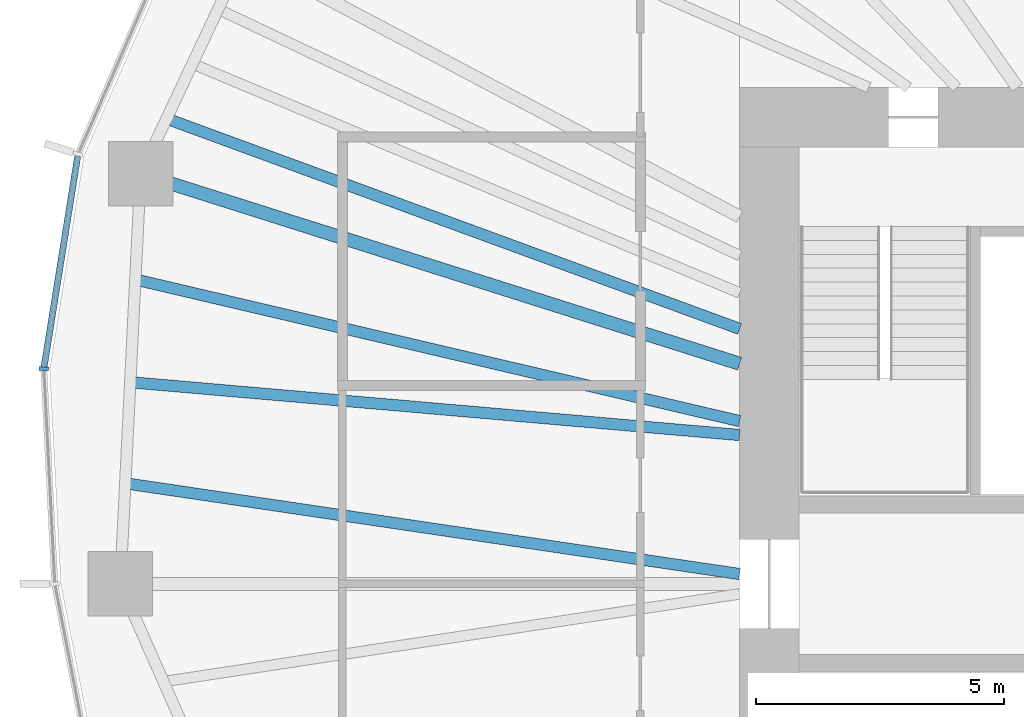
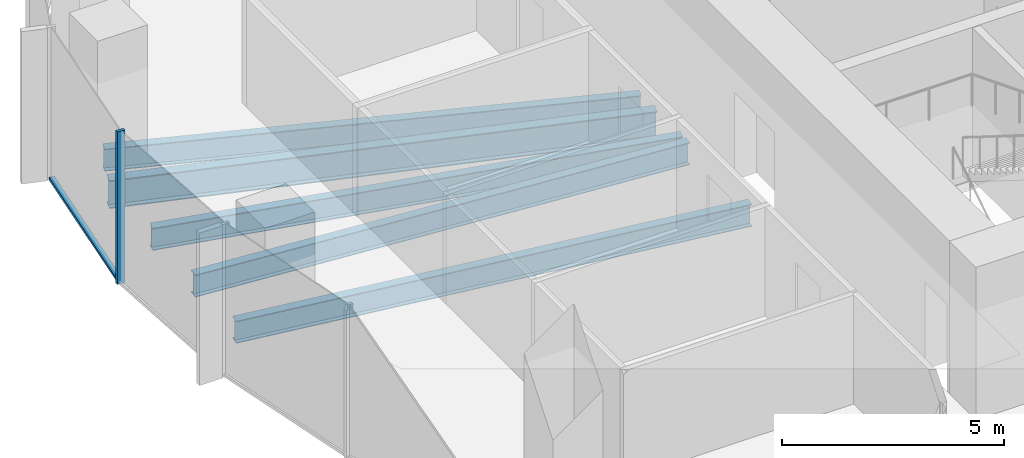
# One storey, part 3 of 12: 5 beams, 2 members, 1 element without a shape of its own.
"""IFC4 building model written with IfcOpenShell, lengths in metres."""

from ifc_helpers import new_model, si_unit, direction, frame, origin, origin_2d, place, context, subcontext, project, spatial, rectangle, i_section, extrude, material, material_profile, profile_set, type_object, element, aggregate, save


model = new_model("IFC4")

# Units and contexts
model_context = context("Model", 3, precision=1e-05, world=origin(), true_north=direction((0.0, 1.0)))
body_context = subcontext(model_context, "Body", "Model", "MODEL_VIEW")
ifc_project = project(units=[si_unit("LENGTHUNIT", "METRE"), si_unit("AREAUNIT", "SQUARE_METRE"), si_unit("VOLUMEUNIT", "CUBIC_METRE"), si_unit("PLANEANGLEUNIT", "RADIAN"), si_unit("MASSUNIT", "GRAM", prefix="KILO")], contexts=[model_context])

# Site, building, storey
site_placement = place(None, origin())
site = spatial("IfcSite", under=ifc_project, at=site_placement, CompositionType="ELEMENT")
building_placement = place(site_placement, origin())
building = spatial("IfcBuilding", under=site, at=building_placement, Name="Ghaith Harvest Tower", CompositionType="ELEMENT")
storey_placement = place(building_placement, frame((0.0, 0.0, 228.39990234375)))
storey = spatial("IfcBuildingStorey", under=building, at=storey_placement, Name="L50", CompositionType="ELEMENT", Elevation=228.39990234375)

# Curtain wall, members
ifc_material_1 = material(Name="Black anodised aluminium and fritted glass", Category="aluminium")
curtain_wall_type = type_object("IfcCurtainWallType", Name="CW-H CURTAIN WALL", PredefinedType="NOTDEFINED", material=ifc_material_1)
curtain_wall_placement = place(storey_placement, origin())
curtain_wall = element("IfcCurtainWall", 1, at=curtain_wall_placement, inside=storey, type_object=curtain_wall_type, Name="Curtain wall CW-H bay 10 L50", PredefinedType="NOTDEFINED")
ifc_material_2 = material(Name="Aluminium, black anodised", Category="aluminium")
ifc_material_profile_1 = material_profile(ifc_material_2, rectangle(XDim=0.080078125, YDim=0.199951171875, at=origin_2d()), Name="CW-H MULLION 80x200")
ifc_profile_set_1 = profile_set([ifc_material_profile_1], Name="Aluminium, black anodised")
member_type_1 = type_object("IfcMemberType", Name="CW-H MULLION 80x200", PredefinedType="MULLION", material=ifc_profile_set_1)
member_1_placement = place(storey_placement, frame((-28.015869140625, 4.333251953125, 0.0), z_axis=(0.0, 0.0, 1.0), x_axis=(-0.054116047044, -0.998534653105, 0.0)))
member_1 = element("IfcMember", 2, at=member_1_placement, type_object=member_type_1, Name="CW-H mullion 2 bay 10 L50", PredefinedType="MULLION", context=body_context, shape_type="SweptSolid", body=[
    extrude(rectangle(XDim=0.080078125, YDim=0.199951171875, at=origin_2d()), origin(), (0.0, 0.0, 1.0), 4.2001953125),
])
ifc_material_3 = material(Name="Aluminium, black anodised", Category="aluminium")
ifc_material_profile_2 = material_profile(ifc_material_3, rectangle(XDim=0.1298828125, YDim=0.080078125, at=origin_2d()), Name="CW-H TRANSOM 130x80")
ifc_profile_set_2 = profile_set([ifc_material_profile_2], Name="Aluminium, black anodised")
member_type_2 = type_object("IfcMemberType", Name="CW-H TRANSOM 130x80", PredefinedType="USERDEFINED", material=ifc_profile_set_2)
member_2_placement = place(storey_placement, frame((-27.33203125, 8.62060546875, 0.0400390625), z_axis=(-0.157492444441, -0.98752019217, 0.0), x_axis=(0.98752019217, -0.157492444441, 0.0)))
member_2 = element("IfcMember", 3, at=member_2_placement, type_object=member_type_2, Name="CW-H transom 1 bay 10 L50", ObjectType="TRANSOM", PredefinedType="USERDEFINED", context=body_context, shape_type="SweptSolid", body=[
    extrude(rectangle(XDim=0.1298828125, YDim=0.080078125, at=origin_2d()), origin(), (0.0, 0.0, 1.0), 4.3017578125),
])
aggregate(curtain_wall, [member_2, member_1])

# Beams
ifc_material_4 = material(Name="Steel ASTM A992 Grade 50", Category="steel")
ifc_material_profile_3 = material_profile(ifc_material_4, i_section(OverallWidth=0.26806640625, OverallDepth=0.77001953125, WebThickness=0.015625, FlangeThickness=0.025390625, at=origin_2d()), Name="W760X196")
ifc_profile_set_3 = profile_set([ifc_material_profile_3], Name="Steel ASTM A992 Grade 50")
beam_type_1 = type_object("IfcBeamType", Name="G760-196 W760X196", PredefinedType="BEAM", material=ifc_profile_set_3)
beam_1_placement = place(storey_placement, frame((-14.0, 4.43701171875, -0.554931640625), z_axis=(-0.953278738841, 0.302092115212, 0.0), x_axis=(-0.302092115212, -0.953278738841, 0.0)))
element("IfcBeam", 4, at=beam_1_placement, inside=storey, type_object=beam_type_1, Name="Radial girder G10 L50", PredefinedType="BEAM", context=body_context, shape_type="SweptSolid", body=[
    extrude(i_section(OverallWidth=0.26806640625, OverallDepth=0.77001953125, WebThickness=0.015625, FlangeThickness=0.025390625, at=origin_2d()), origin(), (0.0, 0.0, 1.0), 12.658203125),
])
ifc_material_5 = material(Name="Steel ASTM A992 Grade 50", Category="steel")
ifc_material_profile_4 = material_profile(ifc_material_5, i_section(OverallWidth=0.22900390625, OverallDepth=0.612060546875, WebThickness=0.011962890625, FlangeThickness=0.01953125, at=origin_2d()), Name="W610X125")
ifc_profile_set_4 = profile_set([ifc_material_profile_4], Name="Steel ASTM A992 Grade 50")
beam_type_2 = type_object("IfcBeamType", Name="J610-125 W610X125", PredefinedType="JOIST", material=ifc_profile_set_4)
beam_2_placement = place(storey_placement, frame((-14.0, 5.137939453125, -0.475830078125), z_axis=(-0.938775301049, 0.344530019216, 0.0), x_axis=(-0.344530019216, -0.938775301049, 0.0)))
element("IfcBeam", 5, at=beam_2_placement, inside=storey, type_object=beam_type_2, Name="Joist J09.3 L50", PredefinedType="JOIST", context=body_context, shape_type="SweptSolid", body=[
    extrude(i_section(OverallWidth=0.22900390625, OverallDepth=0.612060546875, WebThickness=0.011962890625, FlangeThickness=0.01953125, at=origin_2d()), origin(), (0.0, 0.0, 1.0), 12.295166015625),
])
beam_3_placement = place(storey_placement, frame((-14.0, 3.280517578125, -0.475830078125), z_axis=(-0.973621665777, 0.228168472691, 0.0), x_axis=(-0.228168472691, -0.973621665777, 0.0)))
element("IfcBeam", 6, at=beam_3_placement, inside=storey, type_object=beam_type_2, Name="Joist J10.1 L50", PredefinedType="JOIST", context=body_context, shape_type="SweptSolid", body=[
    extrude(i_section(OverallWidth=0.22900390625, OverallDepth=0.612060546875, WebThickness=0.011962890625, FlangeThickness=0.01953125, at=origin_2d()), origin(), (0.0, 0.0, 1.0), 12.501953125),
])
beam_4_placement = place(storey_placement, frame((-14.0, 3.0, -0.475830078125), z_axis=(-0.996265900996, 0.086338024716, 0.0), x_axis=(-0.086338024716, -0.996265900996, 0.0)))
element("IfcBeam", 7, at=beam_4_placement, inside=storey, type_object=beam_type_2, Name="Joist J10.2 L50", PredefinedType="JOIST", context=body_context, shape_type="SweptSolid", body=[
    extrude(i_section(OverallWidth=0.22900390625, OverallDepth=0.612060546875, WebThickness=0.011962890625, FlangeThickness=0.01953125, at=origin_2d()), origin(), (0.0, 0.0, 1.0), 12.3203125),
])
beam_5_placement = place(storey_placement, frame((-14.0, 0.199951171875, -0.475830078125), z_axis=(-0.989269378665, 0.146103033631, 0.0), x_axis=(-0.146103033631, -0.989269378665, 0.0)))
element("IfcBeam", 8, at=beam_5_placement, inside=storey, type_object=beam_type_2, Name="Joist J10.3 L50", PredefinedType="JOIST", context=body_context, shape_type="SweptSolid", body=[
    extrude(i_section(OverallWidth=0.22900390625, OverallDepth=0.612060546875, WebThickness=0.011962890625, FlangeThickness=0.01953125, at=origin_2d()), origin(), (0.0, 0.0, 1.0), 12.50927734375),
])

save(model, "model.ifc")
